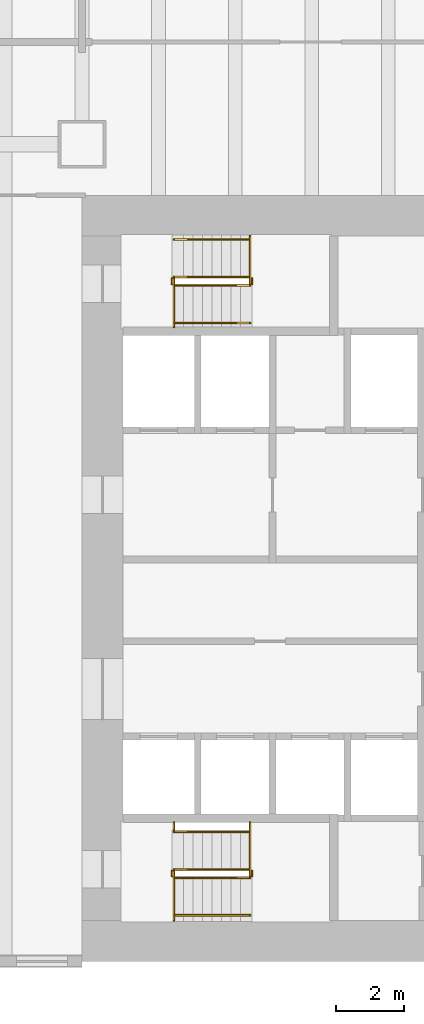
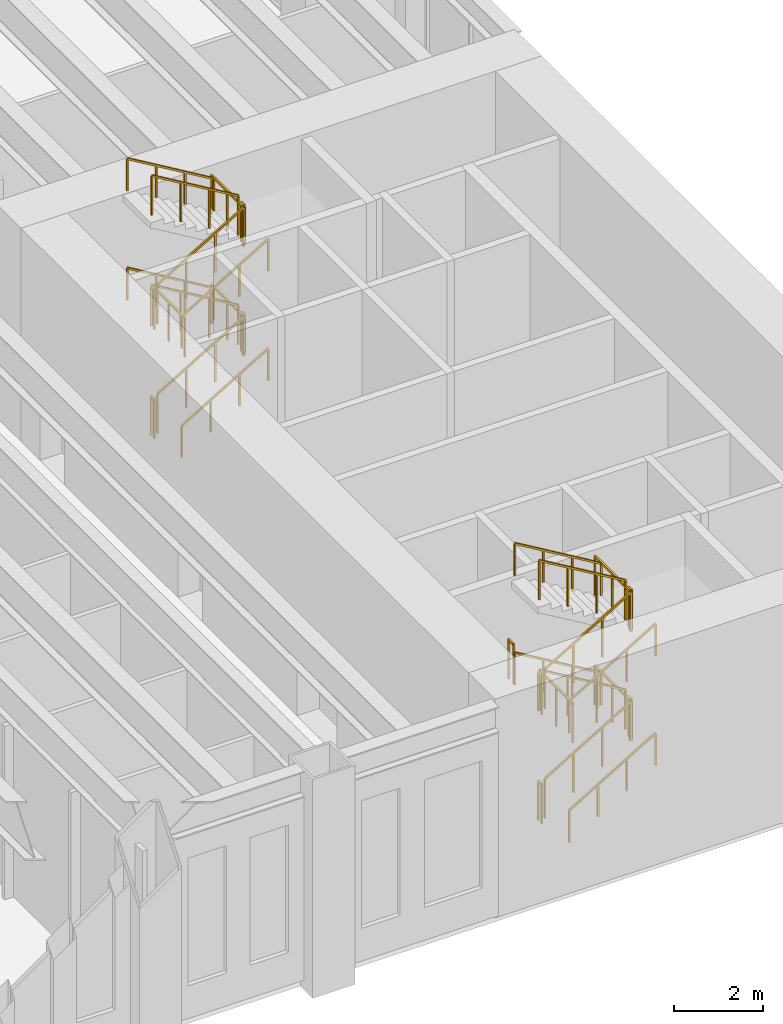
# One storey, part 17 of 19: 31 railings.
"""IFC4 building model written with IfcOpenShell, lengths in metres."""

import ifcopenshell
import ifcopenshell.guid

model = None  # the IFC model being written
_history = None  # IfcOwnerHistory: only IFC2X3 demands one
_inside = {}  # id of a spatial element -> (the spatial element, [elements in it])
_under = {}  # id of a project, library or spatial element -> (it, [spatial elements below it])
_declared = {}  # id of a project -> (the project, [libraries it declares])
_typed = {}  # id of a type object -> (the type object, [elements of that type])
_made_of = {}  # id of a material, layer set ... -> (it, [elements and type objects made of it])


def new_model(schema):
    """Start an empty IFC model of exactly this schema.

    Asked for "IFC4X3", IfcOpenShell would pick the latest addendum, in which some entities
    have other attributes; the version numbers below select the first issue.
    IFC2X3 requires an IfcOwnerHistory on every rooted entity: one is made here for all.
    """
    global model, _history
    if schema == "IFC4X3":
        model = ifcopenshell.file(schema_version=(4, 3, 0, 0))
    else:
        model = ifcopenshell.file(schema=schema)
    _inside.clear()
    _under.clear()
    _declared.clear()
    _typed.clear()
    _made_of.clear()
    _history = None
    if model.schema == "IFC2X3":
        org = make("IfcOrganization", Name="unknown")
        user = make(
            "IfcPersonAndOrganization",
            ThePerson=make("IfcPerson", FamilyName="unknown"),
            TheOrganization=org,
        )
        app = make(
            "IfcApplication",
            ApplicationDeveloper=org,
            Version="unknown",
            ApplicationFullName="unknown",
            ApplicationIdentifier="unknown",
        )
        _history = make(
            "IfcOwnerHistory",
            OwningUser=user,
            OwningApplication=app,
            ChangeAction="ADDED",
            CreationDate=0,
        )
    return model


def make(cls, **values):
    """One entity of the class cls with the attributes given. An attribute that is None is left unset."""
    return model.create_entity(
        cls, **{name: value for name, value in values.items() if value is not None}
    )


def rooted(cls, **values):
    """An entity with a GlobalId (a new one), such as an element, a storey or a relation."""
    return make(cls, GlobalId=ifcopenshell.guid.new(), OwnerHistory=_history, **values)


def si_unit(unit_type, name, prefix=None):
    """IfcSIUnit, for example si_unit("LENGTHUNIT", "METRE", prefix="MILLI")."""
    return make("IfcSIUnit", UnitType=unit_type, Prefix=prefix, Name=name)


def assignment(units):
    """IfcUnitAssignment: the units of a project."""
    return None if units is None else make("IfcUnitAssignment", Units=units)


def point(xyz):
    """IfcCartesianPoint."""
    return None if xyz is None else make("IfcCartesianPoint", Coordinates=xyz)


def direction(xyz):
    """IfcDirection."""
    return None if xyz is None else make("IfcDirection", DirectionRatios=xyz)


def frame(location, z_axis=None, x_axis=None):
    """IfcAxis2Placement3D, a coordinate frame: its origin and axes. An axis left out is left unset."""
    return make(
        "IfcAxis2Placement3D",
        Location=point(location),
        Axis=direction(z_axis),
        RefDirection=direction(x_axis),
    )


def frame_2d(location, x_axis=None):
    """IfcAxis2Placement2D, a coordinate frame in the plane: its origin and x axis."""
    return make(
        "IfcAxis2Placement2D", Location=point(location), RefDirection=direction(x_axis)
    )


def origin():
    """The frame at (0, 0, 0) with its axes left unset."""
    return frame((0.0, 0.0, 0.0))


def origin_2d():
    """The frame at (0, 0) in the plane with its x axis left unset."""
    return frame_2d((0.0, 0.0))


def place(relative_to, where):
    """IfcLocalPlacement: puts the frame where relative to a parent placement (None: the world)."""
    return make(
        "IfcLocalPlacement", PlacementRelTo=relative_to, RelativePlacement=where
    )


def context(
    kind, dimensions, precision=None, world=None, true_north=None, identifier=None
):
    """IfcGeometricRepresentationContext, for example the 3D "Model" context."""
    return make(
        "IfcGeometricRepresentationContext",
        ContextIdentifier=identifier,
        ContextType=kind,
        CoordinateSpaceDimension=dimensions,
        Precision=precision,
        WorldCoordinateSystem=world,
        TrueNorth=true_north,
    )


def subcontext(parent, identifier, kind, view, scale=None):
    """IfcGeometricRepresentationSubContext, for example "Body" below "Model"."""
    return make(
        "IfcGeometricRepresentationSubContext",
        ContextIdentifier=identifier,
        ContextType=kind,
        ParentContext=parent,
        TargetScale=scale,
        TargetView=view,
    )


def project(units=None, contexts=None):
    """IfcProject with its units and contexts."""
    return rooted(
        "IfcProject",
        Name="project",
        RepresentationContexts=contexts,
        UnitsInContext=assignment(units),
    )


def spatial(cls, under=None, at=None, **own):
    """A site, building, storey or space (cls), placed at a placement, below another one or the project."""
    s = rooted(cls, ObjectPlacement=at, **own)
    if under is not None:
        _under.setdefault(under.id(), (under, []))[1].append(s)
    return s


def profile(cls, at=None, kind="AREA", **sizes):
    """A parametric profile (cls). Its sizes go by their IFC names, for example OverallWidth=200.0."""
    return make(cls, ProfileType=kind, Position=at, **sizes)


def rectangle(**sizes):
    """IfcRectangleProfileDef."""
    return profile("IfcRectangleProfileDef", **sizes)


def extrude(swept, where, along, depth):
    """IfcExtrudedAreaSolid: the profile swept, set in the frame where, extruded along a direction by depth."""
    return make(
        "IfcExtrudedAreaSolid",
        SweptArea=swept,
        Position=where,
        ExtrudedDirection=direction(along),
        Depth=depth,
    )


def shape(context_of_items, identifier, shape_type, items):
    """IfcShapeRepresentation: the items that make up one representation, for example the "Body"."""
    return make(
        "IfcShapeRepresentation",
        ContextOfItems=context_of_items,
        RepresentationIdentifier=identifier,
        RepresentationType=shape_type,
        Items=items,
    )


def material(Name=None, Category=None):
    """IfcMaterial."""
    return make("IfcMaterial", Name=Name, Category=Category)


def made_of(thing, what):
    """Note that an element or type object is made of a material, layer set ...; save() writes the relation."""
    if what is not None:
        _made_of.setdefault(what.id(), (what, []))[1].append(thing)
    return thing


def type_object(cls, material=None, **own):
    """A type object (cls), such as IfcWallType, which elements share."""
    return made_of(rooted(cls, **own), material)


def element(
    cls,
    number,
    at=None,
    inside=None,
    cuts=None,
    type_object=None,
    material=None,
    context=None,
    identifier="Body",
    shape_type=None,
    held_by="IfcProductDefinitionShape",
    body=None,
    shapes=None,
    **own,
):
    """One element of the class cls, such as IfcWall. Its Tag is "e" and its number.

    at: its placement. inside: the storey or other place that contains it. cuts: it is an
    opening in that element (IfcRelVoidsElement). A single representation is given by context,
    identifier, shape_type and body (its items); several are given by shapes. held_by: the class
    of the entity that holds the representations. save() writes the other relations.
    """
    e = rooted(cls, Tag="e%d" % number, ObjectPlacement=at, **own)
    if body is not None:
        shapes = [shape(context, identifier, shape_type, body)]
    if shapes is not None:
        e.Representation = make(held_by, Representations=shapes)
    if inside is not None:
        _inside.setdefault(inside.id(), (inside, []))[1].append(e)
    if cuts is not None:
        rooted(
            "IfcRelVoidsElement", RelatingBuildingElement=cuts, RelatedOpeningElement=e
        )
    if type_object is not None:
        _typed.setdefault(type_object.id(), (type_object, []))[1].append(e)
    return made_of(e, material)


def aggregate(whole, parts):
    """IfcRelAggregates: a whole, such as a stair, and the parts it consists of."""
    return rooted("IfcRelAggregates", RelatingObject=whole, RelatedObjects=parts)


def save(model, path):
    """Write the relations noted so far, then the file.

    IfcRelAggregates (storeys below a building ...), IfcRelContainedInSpatialStructure (elements
    in a storey), IfcRelDefinesByType, IfcRelAssociatesMaterial and IfcRelDeclares: one each for
    every whole, place, type object, material and project.
    """
    for whole, parts in _under.values():
        aggregate(whole, parts)
    for where, things in _inside.values():
        rooted(
            "IfcRelContainedInSpatialStructure",
            RelatedElements=things,
            RelatingStructure=where,
        )
    for kind, things in _typed.values():
        rooted("IfcRelDefinesByType", RelatedObjects=things, RelatingType=kind)
    for what, things in _made_of.values():
        rooted("IfcRelAssociatesMaterial", RelatedObjects=things, RelatingMaterial=what)
    for by, libraries in _declared.values():
        rooted("IfcRelDeclares", RelatingContext=by, RelatedDefinitions=libraries)
    model.write(path)


model = new_model("IFC4")

# Units and contexts
model_context = context("Model", 3, precision=1e-05, world=origin(), true_north=direction((0.0, 1.0)))
body_context = subcontext(model_context, "Body", "Model", "MODEL_VIEW")
ifc_project = project(units=[si_unit("LENGTHUNIT", "METRE"), si_unit("AREAUNIT", "SQUARE_METRE"), si_unit("VOLUMEUNIT", "CUBIC_METRE"), si_unit("PLANEANGLEUNIT", "RADIAN"), si_unit("MASSUNIT", "GRAM", prefix="KILO")], contexts=[model_context])

# Site, building, storey
site_placement = place(None, origin())
site = spatial("IfcSite", under=ifc_project, at=site_placement, CompositionType="ELEMENT")
building_placement = place(site_placement, origin())
building = spatial("IfcBuilding", under=site, at=building_placement, Name="Sennacour Bend Tower", CompositionType="ELEMENT")
storey_placement = place(building_placement, frame((0.0, 0.0, 8.0)))
storey = spatial("IfcBuildingStorey", under=building, at=storey_placement, Name="L01", CompositionType="ELEMENT", Elevation=8.0)

# Railings
ifc_material = material(Name="Stainless steel", Category="steel")
railing_type_1 = type_object("IfcRailingType", Name="RL-GUARD-1100", PredefinedType="GUARDRAIL", material=ifc_material)
railing_1_placement = place(storey_placement, frame((56.699951171875, 2.449951171875, 0.166748046875)))
element("IfcRailing", 1, at=railing_1_placement, inside=storey, type_object=railing_type_1, Name="L01 SA1 stair guard 1", PredefinedType="GUARDRAIL", context=body_context, shape_type="SweptSolid", body=[
    extrude(rectangle(XDim=0.048095703125, YDim=0.048095703125, at=origin_2d()), frame((0.0, 0.0, 1.076171875), z_axis=(0.859305625298, 0.0, 0.511462454469), x_axis=(0.0, 1.0, 0.0)), (0.0, 0.0, 1.0), 2.606689453125),
    extrude(rectangle(XDim=0.0419921875, YDim=0.0419921875, at=origin_2d()), origin(), (0.0, 0.0, 1.0), 1.052001953125),
    extrude(rectangle(XDim=0.0419921875, YDim=0.0419921875, at=origin_2d()), frame((0.74658203125, 0.0, 0.4443359375)), (0.0, 0.0, 1.0), 1.052001953125),
    extrude(rectangle(XDim=0.0419921875, YDim=0.0419921875, at=origin_2d()), frame((1.493408203125, 0.0, 0.888916015625)), (0.0, 0.0, 1.0), 1.052001953125),
    extrude(rectangle(XDim=0.0419921875, YDim=0.0419921875, at=origin_2d()), frame((2.239990234375, 0.0, 1.333251953125)), (0.0, 0.0, 1.0), 1.052001953125),
])
railing_2_placement = place(storey_placement, frame((58.989990234375, 2.5, 1.5)))
element("IfcRailing", 2, at=railing_2_placement, inside=storey, type_object=railing_type_1, Name="L01 SA1 stair guard 2", PredefinedType="GUARDRAIL", context=body_context, shape_type="SweptSolid", body=[
    extrude(rectangle(XDim=0.048095703125, YDim=0.048095703125, at=origin_2d()), frame((0.0, 0.0, 1.076171875), z_axis=(0.0, 1.0, 0.0), x_axis=(-1.0, 0.0, 0.0)), (0.0, 0.0, 1.0), 0.14990234375),
    extrude(rectangle(XDim=0.0419921875, YDim=0.0419921875, at=origin_2d()), origin(), (0.0, 0.0, 1.0), 1.052001953125),
    extrude(rectangle(XDim=0.0419921875, YDim=0.0419921875, at=origin_2d()), frame((0.0, 0.14990234375, 0.0)), (0.0, 0.0, 1.0), 1.052001953125),
])
railing_3_placement = place(storey_placement, frame((58.93994140625, 2.699951171875, 1.666748046875)))
element("IfcRailing", 3, at=railing_3_placement, inside=storey, type_object=railing_type_1, Name="L01 SA1 stair guard 4", PredefinedType="GUARDRAIL", context=body_context, shape_type="SweptSolid", body=[
    extrude(rectangle(XDim=0.048095703125, YDim=0.048095703125, at=origin_2d()), frame((0.0, 0.0, 1.076171875), z_axis=(-0.859305625298, 0.0, 0.511462454469), x_axis=(0.0, -1.0, 0.0)), (0.0, 0.0, 1.0), 2.606689453125),
    extrude(rectangle(XDim=0.0419921875, YDim=0.0419921875, at=origin_2d()), origin(), (0.0, 0.0, 1.0), 1.052001953125),
    extrude(rectangle(XDim=0.0419921875, YDim=0.0419921875, at=origin_2d()), frame((-0.74658203125, 0.0, 0.4443359375)), (0.0, 0.0, 1.0), 1.052001953125),
    extrude(rectangle(XDim=0.0419921875, YDim=0.0419921875, at=origin_2d()), frame((-1.493408203125, 0.0, 0.888916015625)), (0.0, 0.0, 1.0), 1.052001953125),
    extrude(rectangle(XDim=0.0419921875, YDim=0.0419921875, at=origin_2d()), frame((-2.239990234375, 0.0, 1.333251953125)), (0.0, 0.0, 1.0), 1.052001953125),
])
railing_4_placement = place(storey_placement, frame((56.64990234375, 2.5, 3.0)))
element("IfcRailing", 4, at=railing_4_placement, inside=storey, type_object=railing_type_1, Name="L01 SA1 stair guard 5", PredefinedType="GUARDRAIL", context=body_context, shape_type="SweptSolid", body=[
    extrude(rectangle(XDim=0.048095703125, YDim=0.048095703125, at=origin_2d()), frame((0.0, 0.0, 1.076171875), z_axis=(0.0, 1.0, 0.0), x_axis=(-1.0, 0.0, 0.0)), (0.0, 0.0, 1.0), 0.14990234375),
    extrude(rectangle(XDim=0.0419921875, YDim=0.0419921875, at=origin_2d()), origin(), (0.0, 0.0, 1.0), 1.052001953125),
    extrude(rectangle(XDim=0.0419921875, YDim=0.0419921875, at=origin_2d()), frame((0.0, 0.14990234375, 0.0)), (0.0, 0.0, 1.0), 1.052001953125),
])
railing_5_placement = place(storey_placement, frame((56.699951171875, 2.449951171875, 3.166748046875)))
element("IfcRailing", 5, at=railing_5_placement, inside=storey, type_object=railing_type_1, Name="L01 SA1 stair guard 8", PredefinedType="GUARDRAIL", context=body_context, shape_type="SweptSolid", body=[
    extrude(rectangle(XDim=0.048095703125, YDim=0.048095703125, at=origin_2d()), frame((0.0, 0.0, 1.076171875), z_axis=(0.859305625298, 0.0, 0.511462454469), x_axis=(0.0, 1.0, 0.0)), (0.0, 0.0, 1.0), 2.606689453125),
    extrude(rectangle(XDim=0.0419921875, YDim=0.0419921875, at=origin_2d()), origin(), (0.0, 0.0, 1.0), 1.052001953125),
    extrude(rectangle(XDim=0.0419921875, YDim=0.0419921875, at=origin_2d()), frame((0.74658203125, 0.0, 0.4443359375)), (0.0, 0.0, 1.0), 1.052001953125),
    extrude(rectangle(XDim=0.0419921875, YDim=0.0419921875, at=origin_2d()), frame((1.493408203125, 0.0, 0.888916015625)), (0.0, 0.0, 1.0), 1.052001953125),
    extrude(rectangle(XDim=0.0419921875, YDim=0.0419921875, at=origin_2d()), frame((2.239990234375, 0.0, 1.333251953125)), (0.0, 0.0, 1.0), 1.052001953125),
])
railing_6_placement = place(storey_placement, frame((58.989990234375, 2.5, 4.5)))
element("IfcRailing", 6, at=railing_6_placement, inside=storey, type_object=railing_type_1, Name="L01 SA1 stair guard 9", PredefinedType="GUARDRAIL", context=body_context, shape_type="SweptSolid", body=[
    extrude(rectangle(XDim=0.048095703125, YDim=0.048095703125, at=origin_2d()), frame((0.0, 0.0, 1.076171875), z_axis=(0.0, 1.0, 0.0), x_axis=(-1.0, 0.0, 0.0)), (0.0, 0.0, 1.0), 0.14990234375),
    extrude(rectangle(XDim=0.0419921875, YDim=0.0419921875, at=origin_2d()), origin(), (0.0, 0.0, 1.0), 1.052001953125),
    extrude(rectangle(XDim=0.0419921875, YDim=0.0419921875, at=origin_2d()), frame((0.0, 0.14990234375, 0.0)), (0.0, 0.0, 1.0), 1.052001953125),
])
railing_7_placement = place(storey_placement, frame((58.93994140625, 2.699951171875, 4.666748046875)))
element("IfcRailing", 7, at=railing_7_placement, inside=storey, type_object=railing_type_1, Name="L01 SA1 stair guard 11", PredefinedType="GUARDRAIL", context=body_context, shape_type="SweptSolid", body=[
    extrude(rectangle(XDim=0.048095703125, YDim=0.048095703125, at=origin_2d()), frame((0.0, 0.0, 1.076171875), z_axis=(-0.859305625298, 0.0, 0.511462454469), x_axis=(0.0, -1.0, 0.0)), (0.0, 0.0, 1.0), 2.606689453125),
    extrude(rectangle(XDim=0.0419921875, YDim=0.0419921875, at=origin_2d()), origin(), (0.0, 0.0, 1.0), 1.052001953125),
    extrude(rectangle(XDim=0.0419921875, YDim=0.0419921875, at=origin_2d()), frame((-0.74658203125, 0.0, 0.4443359375)), (0.0, 0.0, 1.0), 1.052001953125),
    extrude(rectangle(XDim=0.0419921875, YDim=0.0419921875, at=origin_2d()), frame((-1.493408203125, 0.0, 0.888916015625)), (0.0, 0.0, 1.0), 1.052001953125),
    extrude(rectangle(XDim=0.0419921875, YDim=0.0419921875, at=origin_2d()), frame((-2.239990234375, 0.0, 1.333251953125)), (0.0, 0.0, 1.0), 1.052001953125),
])
railing_8_placement = place(storey_placement, frame((56.64990234375, 2.5, 0.0)))
element("IfcRailing", 8, at=railing_8_placement, inside=storey, type_object=railing_type_1, Name="L01 SA1 stair guard 12", PredefinedType="GUARDRAIL", context=body_context, shape_type="SweptSolid", body=[
    extrude(rectangle(XDim=0.048095703125, YDim=0.048095703125, at=origin_2d()), frame((0.0, 0.0, 1.076171875), z_axis=(0.0, 1.0, 0.0), x_axis=(-1.0, 0.0, 0.0)), (0.0, 0.0, 1.0), 0.14990234375),
    extrude(rectangle(XDim=0.0419921875, YDim=0.0419921875, at=origin_2d()), origin(), (0.0, 0.0, 1.0), 1.052001953125),
    extrude(rectangle(XDim=0.0419921875, YDim=0.0419921875, at=origin_2d()), frame((0.0, 0.14990234375, 0.0)), (0.0, 0.0, 1.0), 1.052001953125),
])
railing_9_placement = place(storey_placement, frame((58.93994140625, 2.5, 1.5)))
element("IfcRailing", 9, at=railing_9_placement, inside=storey, type_object=railing_type_1, Name="L01 SA1 landing edge guard 4", PredefinedType="GUARDRAIL", context=body_context, shape_type="SweptSolid", body=[
    extrude(rectangle(XDim=0.048095703125, YDim=0.048095703125, at=origin_2d()), frame((0.0, 0.0, 1.076171875), z_axis=(0.0, 1.0, 0.0), x_axis=(-1.0, 0.0, 0.0)), (0.0, 0.0, 1.0), 1.574951171875),
    extrude(rectangle(XDim=0.0419921875, YDim=0.0419921875, at=origin_2d()), origin(), (0.0, 0.0, 1.0), 1.052001953125),
    extrude(rectangle(XDim=0.0419921875, YDim=0.0419921875, at=origin_2d()), frame((0.0, 0.78759765625, 0.0)), (0.0, 0.0, 1.0), 1.052001953125),
    extrude(rectangle(XDim=0.0419921875, YDim=0.0419921875, at=origin_2d()), frame((0.0, 1.574951171875, 0.0)), (0.0, 0.0, 1.0), 1.052001953125),
])
railing_10_placement = place(storey_placement, frame((56.699951171875, 4.074951171875, 3.0)))
element("IfcRailing", 10, at=railing_10_placement, inside=storey, type_object=railing_type_1, Name="L01 SA1 landing edge guard 5", PredefinedType="GUARDRAIL", context=body_context, shape_type="SweptSolid", body=[
    extrude(rectangle(XDim=0.048095703125, YDim=0.048095703125, at=origin_2d()), frame((0.0, 0.0, 1.076171875), z_axis=(0.0, -1.0, 0.0), x_axis=(1.0, 0.0, 0.0)), (0.0, 0.0, 1.0), 0.224853515625),
    extrude(rectangle(XDim=0.0419921875, YDim=0.0419921875, at=origin_2d()), origin(), (0.0, 0.0, 1.0), 1.052001953125),
    extrude(rectangle(XDim=0.0419921875, YDim=0.0419921875, at=origin_2d()), frame((0.0, -0.224853515625, 0.0)), (0.0, 0.0, 1.0), 1.052001953125),
])
railing_11_placement = place(storey_placement, frame((56.699951171875, 2.64990234375, 3.0)))
element("IfcRailing", 11, at=railing_11_placement, inside=storey, type_object=railing_type_1, Name="L01 SA1 landing edge guard 6", PredefinedType="GUARDRAIL", context=body_context, shape_type="SweptSolid", body=[
    extrude(rectangle(XDim=0.048095703125, YDim=0.048095703125, at=origin_2d()), frame((0.0, 0.0, 1.076171875), z_axis=(0.0, -1.0, 0.0), x_axis=(1.0, 0.0, 0.0)), (0.0, 0.0, 1.0), 1.449951171875),
    extrude(rectangle(XDim=0.0419921875, YDim=0.0419921875, at=origin_2d()), origin(), (0.0, 0.0, 1.0), 1.052001953125),
    extrude(rectangle(XDim=0.0419921875, YDim=0.0419921875, at=origin_2d()), frame((0.0, -0.72509765625, 0.0)), (0.0, 0.0, 1.0), 1.052001953125),
    extrude(rectangle(XDim=0.0419921875, YDim=0.0419921875, at=origin_2d()), frame((0.0, -1.449951171875, 0.0)), (0.0, 0.0, 1.0), 1.052001953125),
])
railing_12_placement = place(storey_placement, frame((58.93994140625, 2.5, 4.5)))
element("IfcRailing", 12, at=railing_12_placement, inside=storey, type_object=railing_type_1, Name="L01 SA1 landing edge guard 7", PredefinedType="GUARDRAIL", context=body_context, shape_type="SweptSolid", body=[
    extrude(rectangle(XDim=0.048095703125, YDim=0.048095703125, at=origin_2d()), frame((0.0, 0.0, 1.076171875), z_axis=(0.0, 1.0, 0.0), x_axis=(-1.0, 0.0, 0.0)), (0.0, 0.0, 1.0), 1.574951171875),
    extrude(rectangle(XDim=0.0419921875, YDim=0.0419921875, at=origin_2d()), origin(), (0.0, 0.0, 1.0), 1.052001953125),
    extrude(rectangle(XDim=0.0419921875, YDim=0.0419921875, at=origin_2d()), frame((0.0, 0.78759765625, 0.0)), (0.0, 0.0, 1.0), 1.052001953125),
    extrude(rectangle(XDim=0.0419921875, YDim=0.0419921875, at=origin_2d()), frame((0.0, 1.574951171875, 0.0)), (0.0, 0.0, 1.0), 1.052001953125),
])
railing_13_placement = place(storey_placement, frame((56.699951171875, 19.85009765625, 0.166748046875)))
element("IfcRailing", 13, at=railing_13_placement, inside=storey, type_object=railing_type_1, Name="L01 SA2 stair guard 1", PredefinedType="GUARDRAIL", context=body_context, shape_type="SweptSolid", body=[
    extrude(rectangle(XDim=0.048095703125, YDim=0.048095703125, at=origin_2d()), frame((0.0, 0.0, 1.076171875), z_axis=(0.859305625298, 0.0, 0.511462454469), x_axis=(0.0, 1.0, 0.0)), (0.0, 0.0, 1.0), 2.606689453125),
    extrude(rectangle(XDim=0.0419921875, YDim=0.0419921875, at=origin_2d()), origin(), (0.0, 0.0, 1.0), 1.052001953125),
    extrude(rectangle(XDim=0.0419921875, YDim=0.0419921875, at=origin_2d()), frame((0.74658203125, 0.0, 0.4443359375)), (0.0, 0.0, 1.0), 1.052001953125),
    extrude(rectangle(XDim=0.0419921875, YDim=0.0419921875, at=origin_2d()), frame((1.493408203125, 0.0, 0.888916015625)), (0.0, 0.0, 1.0), 1.052001953125),
    extrude(rectangle(XDim=0.0419921875, YDim=0.0419921875, at=origin_2d()), frame((2.239990234375, 0.0, 1.333251953125)), (0.0, 0.0, 1.0), 1.052001953125),
])
railing_14_placement = place(storey_placement, frame((58.989990234375, 19.89990234375, 1.5)))
element("IfcRailing", 14, at=railing_14_placement, inside=storey, type_object=railing_type_1, Name="L01 SA2 stair guard 2", PredefinedType="GUARDRAIL", context=body_context, shape_type="SweptSolid", body=[
    extrude(rectangle(XDim=0.048095703125, YDim=0.048095703125, at=origin_2d()), frame((0.0, 0.0, 1.076171875), z_axis=(0.0, 1.0, 0.0), x_axis=(-1.0, 0.0, 0.0)), (0.0, 0.0, 1.0), 0.150146484375),
    extrude(rectangle(XDim=0.0419921875, YDim=0.0419921875, at=origin_2d()), origin(), (0.0, 0.0, 1.0), 1.052001953125),
    extrude(rectangle(XDim=0.0419921875, YDim=0.0419921875, at=origin_2d()), frame((0.0, 0.150146484375, 0.0)), (0.0, 0.0, 1.0), 1.052001953125),
])
railing_15_placement = place(storey_placement, frame((58.93994140625, 20.10009765625, 1.666748046875)))
element("IfcRailing", 15, at=railing_15_placement, inside=storey, type_object=railing_type_1, Name="L01 SA2 stair guard 4", PredefinedType="GUARDRAIL", context=body_context, shape_type="SweptSolid", body=[
    extrude(rectangle(XDim=0.048095703125, YDim=0.048095703125, at=origin_2d()), frame((0.0, 0.0, 1.076171875), z_axis=(-0.859305625298, 0.0, 0.511462454469), x_axis=(0.0, -1.0, 0.0)), (0.0, 0.0, 1.0), 2.606689453125),
    extrude(rectangle(XDim=0.0419921875, YDim=0.0419921875, at=origin_2d()), origin(), (0.0, 0.0, 1.0), 1.052001953125),
    extrude(rectangle(XDim=0.0419921875, YDim=0.0419921875, at=origin_2d()), frame((-0.74658203125, 0.0, 0.4443359375)), (0.0, 0.0, 1.0), 1.052001953125),
    extrude(rectangle(XDim=0.0419921875, YDim=0.0419921875, at=origin_2d()), frame((-1.493408203125, 0.0, 0.888916015625)), (0.0, 0.0, 1.0), 1.052001953125),
    extrude(rectangle(XDim=0.0419921875, YDim=0.0419921875, at=origin_2d()), frame((-2.239990234375, 0.0, 1.333251953125)), (0.0, 0.0, 1.0), 1.052001953125),
])
railing_16_placement = place(storey_placement, frame((56.64990234375, 19.89990234375, 3.0)))
element("IfcRailing", 16, at=railing_16_placement, inside=storey, type_object=railing_type_1, Name="L01 SA2 stair guard 5", PredefinedType="GUARDRAIL", context=body_context, shape_type="SweptSolid", body=[
    extrude(rectangle(XDim=0.048095703125, YDim=0.048095703125, at=origin_2d()), frame((0.0, 0.0, 1.076171875), z_axis=(0.0, 1.0, 0.0), x_axis=(-1.0, 0.0, 0.0)), (0.0, 0.0, 1.0), 0.150146484375),
    extrude(rectangle(XDim=0.0419921875, YDim=0.0419921875, at=origin_2d()), origin(), (0.0, 0.0, 1.0), 1.052001953125),
    extrude(rectangle(XDim=0.0419921875, YDim=0.0419921875, at=origin_2d()), frame((0.0, 0.150146484375, 0.0)), (0.0, 0.0, 1.0), 1.052001953125),
])
railing_17_placement = place(storey_placement, frame((56.699951171875, 19.85009765625, 3.166748046875)))
element("IfcRailing", 17, at=railing_17_placement, inside=storey, type_object=railing_type_1, Name="L01 SA2 stair guard 8", PredefinedType="GUARDRAIL", context=body_context, shape_type="SweptSolid", body=[
    extrude(rectangle(XDim=0.048095703125, YDim=0.048095703125, at=origin_2d()), frame((0.0, 0.0, 1.076171875), z_axis=(0.859305625298, 0.0, 0.511462454469), x_axis=(0.0, 1.0, 0.0)), (0.0, 0.0, 1.0), 2.606689453125),
    extrude(rectangle(XDim=0.0419921875, YDim=0.0419921875, at=origin_2d()), origin(), (0.0, 0.0, 1.0), 1.052001953125),
    extrude(rectangle(XDim=0.0419921875, YDim=0.0419921875, at=origin_2d()), frame((0.74658203125, 0.0, 0.4443359375)), (0.0, 0.0, 1.0), 1.052001953125),
    extrude(rectangle(XDim=0.0419921875, YDim=0.0419921875, at=origin_2d()), frame((1.493408203125, 0.0, 0.888916015625)), (0.0, 0.0, 1.0), 1.052001953125),
    extrude(rectangle(XDim=0.0419921875, YDim=0.0419921875, at=origin_2d()), frame((2.239990234375, 0.0, 1.333251953125)), (0.0, 0.0, 1.0), 1.052001953125),
])
railing_18_placement = place(storey_placement, frame((58.989990234375, 19.89990234375, 4.5)))
element("IfcRailing", 18, at=railing_18_placement, inside=storey, type_object=railing_type_1, Name="L01 SA2 stair guard 9", PredefinedType="GUARDRAIL", context=body_context, shape_type="SweptSolid", body=[
    extrude(rectangle(XDim=0.048095703125, YDim=0.048095703125, at=origin_2d()), frame((0.0, 0.0, 1.076171875), z_axis=(0.0, 1.0, 0.0), x_axis=(-1.0, 0.0, 0.0)), (0.0, 0.0, 1.0), 0.150146484375),
    extrude(rectangle(XDim=0.0419921875, YDim=0.0419921875, at=origin_2d()), origin(), (0.0, 0.0, 1.0), 1.052001953125),
    extrude(rectangle(XDim=0.0419921875, YDim=0.0419921875, at=origin_2d()), frame((0.0, 0.150146484375, 0.0)), (0.0, 0.0, 1.0), 1.052001953125),
])
railing_19_placement = place(storey_placement, frame((58.93994140625, 20.10009765625, 4.666748046875)))
element("IfcRailing", 19, at=railing_19_placement, inside=storey, type_object=railing_type_1, Name="L01 SA2 stair guard 11", PredefinedType="GUARDRAIL", context=body_context, shape_type="SweptSolid", body=[
    extrude(rectangle(XDim=0.048095703125, YDim=0.048095703125, at=origin_2d()), frame((0.0, 0.0, 1.076171875), z_axis=(-0.859305625298, 0.0, 0.511462454469), x_axis=(0.0, -1.0, 0.0)), (0.0, 0.0, 1.0), 2.606689453125),
    extrude(rectangle(XDim=0.0419921875, YDim=0.0419921875, at=origin_2d()), origin(), (0.0, 0.0, 1.0), 1.052001953125),
    extrude(rectangle(XDim=0.0419921875, YDim=0.0419921875, at=origin_2d()), frame((-0.74658203125, 0.0, 0.4443359375)), (0.0, 0.0, 1.0), 1.052001953125),
    extrude(rectangle(XDim=0.0419921875, YDim=0.0419921875, at=origin_2d()), frame((-1.493408203125, 0.0, 0.888916015625)), (0.0, 0.0, 1.0), 1.052001953125),
    extrude(rectangle(XDim=0.0419921875, YDim=0.0419921875, at=origin_2d()), frame((-2.239990234375, 0.0, 1.333251953125)), (0.0, 0.0, 1.0), 1.052001953125),
])
railing_20_placement = place(storey_placement, frame((56.64990234375, 19.89990234375, 0.0)))
element("IfcRailing", 20, at=railing_20_placement, inside=storey, type_object=railing_type_1, Name="L01 SA2 stair guard 12", PredefinedType="GUARDRAIL", context=body_context, shape_type="SweptSolid", body=[
    extrude(rectangle(XDim=0.048095703125, YDim=0.048095703125, at=origin_2d()), frame((0.0, 0.0, 1.076171875), z_axis=(0.0, 1.0, 0.0), x_axis=(-1.0, 0.0, 0.0)), (0.0, 0.0, 1.0), 0.150146484375),
    extrude(rectangle(XDim=0.0419921875, YDim=0.0419921875, at=origin_2d()), origin(), (0.0, 0.0, 1.0), 1.052001953125),
    extrude(rectangle(XDim=0.0419921875, YDim=0.0419921875, at=origin_2d()), frame((0.0, 0.150146484375, 0.0)), (0.0, 0.0, 1.0), 1.052001953125),
])
railing_21_placement = place(storey_placement, frame((58.93994140625, 19.89990234375, 1.5)))
element("IfcRailing", 21, at=railing_21_placement, inside=storey, type_object=railing_type_1, Name="L01 SA2 landing edge guard 4", PredefinedType="GUARDRAIL", context=body_context, shape_type="SweptSolid", body=[
    extrude(rectangle(XDim=0.048095703125, YDim=0.048095703125, at=origin_2d()), frame((0.0, 0.0, 1.076171875), z_axis=(0.0, 1.0, 0.0), x_axis=(-1.0, 0.0, 0.0)), (0.0, 0.0, 1.0), 1.400146484375),
    extrude(rectangle(XDim=0.0419921875, YDim=0.0419921875, at=origin_2d()), origin(), (0.0, 0.0, 1.0), 1.052001953125),
    extrude(rectangle(XDim=0.0419921875, YDim=0.0419921875, at=origin_2d()), frame((0.0, 0.7001953125, 0.0)), (0.0, 0.0, 1.0), 1.052001953125),
    extrude(rectangle(XDim=0.0419921875, YDim=0.0419921875, at=origin_2d()), frame((0.0, 1.400146484375, 0.0)), (0.0, 0.0, 1.0), 1.052001953125),
])
railing_22_placement = place(storey_placement, frame((56.699951171875, 20.050048828125, 3.0)))
element("IfcRailing", 22, at=railing_22_placement, inside=storey, type_object=railing_type_1, Name="L01 SA2 landing edge guard 5", PredefinedType="GUARDRAIL", context=body_context, shape_type="SweptSolid", body=[
    extrude(rectangle(XDim=0.048095703125, YDim=0.048095703125, at=origin_2d()), frame((0.0, 0.0, 1.076171875), z_axis=(0.0, -1.0, 0.0), x_axis=(1.0, 0.0, 0.0)), (0.0, 0.0, 1.0), 1.425048828125),
    extrude(rectangle(XDim=0.0419921875, YDim=0.0419921875, at=origin_2d()), origin(), (0.0, 0.0, 1.0), 1.052001953125),
    extrude(rectangle(XDim=0.0419921875, YDim=0.0419921875, at=origin_2d()), frame((0.0, -0.71240234375, 0.0)), (0.0, 0.0, 1.0), 1.052001953125),
    extrude(rectangle(XDim=0.0419921875, YDim=0.0419921875, at=origin_2d()), frame((0.0, -1.425048828125, 0.0)), (0.0, 0.0, 1.0), 1.052001953125),
])
railing_23_placement = place(storey_placement, frame((58.93994140625, 19.89990234375, 4.5)))
element("IfcRailing", 23, at=railing_23_placement, inside=storey, type_object=railing_type_1, Name="L01 SA2 landing edge guard 6", PredefinedType="GUARDRAIL", context=body_context, shape_type="SweptSolid", body=[
    extrude(rectangle(XDim=0.048095703125, YDim=0.048095703125, at=origin_2d()), frame((0.0, 0.0, 1.076171875), z_axis=(0.0, 1.0, 0.0), x_axis=(-1.0, 0.0, 0.0)), (0.0, 0.0, 1.0), 1.400146484375),
    extrude(rectangle(XDim=0.0419921875, YDim=0.0419921875, at=origin_2d()), origin(), (0.0, 0.0, 1.0), 1.052001953125),
    extrude(rectangle(XDim=0.0419921875, YDim=0.0419921875, at=origin_2d()), frame((0.0, 0.7001953125, 0.0)), (0.0, 0.0, 1.0), 1.052001953125),
    extrude(rectangle(XDim=0.0419921875, YDim=0.0419921875, at=origin_2d()), frame((0.0, 1.400146484375, 0.0)), (0.0, 0.0, 1.0), 1.052001953125),
])
railing_type_2 = type_object("IfcRailingType", Name="RL-HANDRAIL-900", PredefinedType="HANDRAIL", material=ifc_material)
railing_24_placement = place(storey_placement, frame((56.699951171875, 1.35009765625, 0.166748046875)))
element("IfcRailing", 24, at=railing_24_placement, inside=storey, type_object=railing_type_2, Name="L01 SA1 stair handrail 1", PredefinedType="HANDRAIL", context=body_context, shape_type="SweptSolid", body=[
    extrude(rectangle(XDim=0.048095703125, YDim=0.048095703125, at=origin_2d()), frame((0.0, 0.0, 0.8759765625), z_axis=(0.859305625298, 0.0, 0.511462454469), x_axis=(0.0, 1.0, 0.0)), (0.0, 0.0, 1.0), 2.606689453125),
    extrude(rectangle(XDim=0.0419921875, YDim=0.0419921875, at=origin_2d()), origin(), (0.0, 0.0, 1.0), 0.851806640625),
    extrude(rectangle(XDim=0.0419921875, YDim=0.0419921875, at=origin_2d()), frame((0.74658203125, 0.0, 0.4443359375)), (0.0, 0.0, 1.0), 0.851806640625),
    extrude(rectangle(XDim=0.0419921875, YDim=0.0419921875, at=origin_2d()), frame((1.493408203125, 0.0, 0.888916015625)), (0.0, 0.0, 1.0), 0.851806640625),
    extrude(rectangle(XDim=0.0419921875, YDim=0.0419921875, at=origin_2d()), frame((2.239990234375, 0.0, 1.333251953125)), (0.0, 0.0, 1.0), 0.851806640625),
])
railing_25_placement = place(storey_placement, frame((58.93994140625, 3.800048828125, 1.666748046875)))
element("IfcRailing", 25, at=railing_25_placement, inside=storey, type_object=railing_type_2, Name="L01 SA1 stair handrail 2", PredefinedType="HANDRAIL", context=body_context, shape_type="SweptSolid", body=[
    extrude(rectangle(XDim=0.048095703125, YDim=0.048095703125, at=origin_2d()), frame((0.0, 0.0, 0.8759765625), z_axis=(-0.859305625298, 0.0, 0.511462454469), x_axis=(0.0, -1.0, 0.0)), (0.0, 0.0, 1.0), 2.606689453125),
    extrude(rectangle(XDim=0.0419921875, YDim=0.0419921875, at=origin_2d()), origin(), (0.0, 0.0, 1.0), 0.851806640625),
    extrude(rectangle(XDim=0.0419921875, YDim=0.0419921875, at=origin_2d()), frame((-0.74658203125, 0.0, 0.4443359375)), (0.0, 0.0, 1.0), 0.851806640625),
    extrude(rectangle(XDim=0.0419921875, YDim=0.0419921875, at=origin_2d()), frame((-1.493408203125, 0.0, 0.888916015625)), (0.0, 0.0, 1.0), 0.851806640625),
    extrude(rectangle(XDim=0.0419921875, YDim=0.0419921875, at=origin_2d()), frame((-2.239990234375, 0.0, 1.333251953125)), (0.0, 0.0, 1.0), 0.851806640625),
])
railing_26_placement = place(storey_placement, frame((56.699951171875, 1.35009765625, 3.166748046875)))
element("IfcRailing", 26, at=railing_26_placement, inside=storey, type_object=railing_type_2, Name="L01 SA1 stair handrail 3", PredefinedType="HANDRAIL", context=body_context, shape_type="SweptSolid", body=[
    extrude(rectangle(XDim=0.048095703125, YDim=0.048095703125, at=origin_2d()), frame((0.0, 0.0, 0.8759765625), z_axis=(0.859305625298, 0.0, 0.511462454469), x_axis=(0.0, 1.0, 0.0)), (0.0, 0.0, 1.0), 2.606689453125),
    extrude(rectangle(XDim=0.0419921875, YDim=0.0419921875, at=origin_2d()), origin(), (0.0, 0.0, 1.0), 0.851806640625),
    extrude(rectangle(XDim=0.0419921875, YDim=0.0419921875, at=origin_2d()), frame((0.74658203125, 0.0, 0.4443359375)), (0.0, 0.0, 1.0), 0.851806640625),
    extrude(rectangle(XDim=0.0419921875, YDim=0.0419921875, at=origin_2d()), frame((1.493408203125, 0.0, 0.888916015625)), (0.0, 0.0, 1.0), 0.851806640625),
    extrude(rectangle(XDim=0.0419921875, YDim=0.0419921875, at=origin_2d()), frame((2.239990234375, 0.0, 1.333251953125)), (0.0, 0.0, 1.0), 0.851806640625),
])
railing_27_placement = place(storey_placement, frame((58.93994140625, 3.800048828125, 4.666748046875)))
element("IfcRailing", 27, at=railing_27_placement, inside=storey, type_object=railing_type_2, Name="L01 SA1 stair handrail 4", PredefinedType="HANDRAIL", context=body_context, shape_type="SweptSolid", body=[
    extrude(rectangle(XDim=0.048095703125, YDim=0.048095703125, at=origin_2d()), frame((0.0, 0.0, 0.8759765625), z_axis=(-0.859305625298, 0.0, 0.511462454469), x_axis=(0.0, -1.0, 0.0)), (0.0, 0.0, 1.0), 2.606689453125),
    extrude(rectangle(XDim=0.0419921875, YDim=0.0419921875, at=origin_2d()), origin(), (0.0, 0.0, 1.0), 0.851806640625),
    extrude(rectangle(XDim=0.0419921875, YDim=0.0419921875, at=origin_2d()), frame((-0.74658203125, 0.0, 0.4443359375)), (0.0, 0.0, 1.0), 0.851806640625),
    extrude(rectangle(XDim=0.0419921875, YDim=0.0419921875, at=origin_2d()), frame((-1.493408203125, 0.0, 0.888916015625)), (0.0, 0.0, 1.0), 0.851806640625),
    extrude(rectangle(XDim=0.0419921875, YDim=0.0419921875, at=origin_2d()), frame((-2.239990234375, 0.0, 1.333251953125)), (0.0, 0.0, 1.0), 0.851806640625),
])
railing_28_placement = place(storey_placement, frame((56.699951171875, 18.75, 0.166748046875)))
element("IfcRailing", 28, at=railing_28_placement, inside=storey, type_object=railing_type_2, Name="L01 SA2 stair handrail 1", PredefinedType="HANDRAIL", context=body_context, shape_type="SweptSolid", body=[
    extrude(rectangle(XDim=0.048095703125, YDim=0.048095703125, at=origin_2d()), frame((0.0, 0.0, 0.8759765625), z_axis=(0.859305625298, 0.0, 0.511462454469), x_axis=(0.0, 1.0, 0.0)), (0.0, 0.0, 1.0), 2.606689453125),
    extrude(rectangle(XDim=0.0419921875, YDim=0.0419921875, at=origin_2d()), origin(), (0.0, 0.0, 1.0), 0.851806640625),
    extrude(rectangle(XDim=0.0419921875, YDim=0.0419921875, at=origin_2d()), frame((0.74658203125, 0.0, 0.4443359375)), (0.0, 0.0, 1.0), 0.851806640625),
    extrude(rectangle(XDim=0.0419921875, YDim=0.0419921875, at=origin_2d()), frame((1.493408203125, 0.0, 0.888916015625)), (0.0, 0.0, 1.0), 0.851806640625),
    extrude(rectangle(XDim=0.0419921875, YDim=0.0419921875, at=origin_2d()), frame((2.239990234375, 0.0, 1.333251953125)), (0.0, 0.0, 1.0), 0.851806640625),
])
railing_29_placement = place(storey_placement, frame((58.93994140625, 21.199951171875, 1.666748046875)))
element("IfcRailing", 29, at=railing_29_placement, inside=storey, type_object=railing_type_2, Name="L01 SA2 stair handrail 2", PredefinedType="HANDRAIL", context=body_context, shape_type="SweptSolid", body=[
    extrude(rectangle(XDim=0.048095703125, YDim=0.048095703125, at=origin_2d()), frame((0.0, 0.0, 0.8759765625), z_axis=(-0.859305625298, 0.0, 0.511462454469), x_axis=(0.0, -1.0, 0.0)), (0.0, 0.0, 1.0), 2.606689453125),
    extrude(rectangle(XDim=0.0419921875, YDim=0.0419921875, at=origin_2d()), origin(), (0.0, 0.0, 1.0), 0.851806640625),
    extrude(rectangle(XDim=0.0419921875, YDim=0.0419921875, at=origin_2d()), frame((-0.74658203125, 0.0, 0.4443359375)), (0.0, 0.0, 1.0), 0.851806640625),
    extrude(rectangle(XDim=0.0419921875, YDim=0.0419921875, at=origin_2d()), frame((-1.493408203125, 0.0, 0.888916015625)), (0.0, 0.0, 1.0), 0.851806640625),
    extrude(rectangle(XDim=0.0419921875, YDim=0.0419921875, at=origin_2d()), frame((-2.239990234375, 0.0, 1.333251953125)), (0.0, 0.0, 1.0), 0.851806640625),
])
railing_30_placement = place(storey_placement, frame((56.699951171875, 18.75, 3.166748046875)))
element("IfcRailing", 30, at=railing_30_placement, inside=storey, type_object=railing_type_2, Name="L01 SA2 stair handrail 3", PredefinedType="HANDRAIL", context=body_context, shape_type="SweptSolid", body=[
    extrude(rectangle(XDim=0.048095703125, YDim=0.048095703125, at=origin_2d()), frame((0.0, 0.0, 0.8759765625), z_axis=(0.859305625298, 0.0, 0.511462454469), x_axis=(0.0, 1.0, 0.0)), (0.0, 0.0, 1.0), 2.606689453125),
    extrude(rectangle(XDim=0.0419921875, YDim=0.0419921875, at=origin_2d()), origin(), (0.0, 0.0, 1.0), 0.851806640625),
    extrude(rectangle(XDim=0.0419921875, YDim=0.0419921875, at=origin_2d()), frame((0.74658203125, 0.0, 0.4443359375)), (0.0, 0.0, 1.0), 0.851806640625),
    extrude(rectangle(XDim=0.0419921875, YDim=0.0419921875, at=origin_2d()), frame((1.493408203125, 0.0, 0.888916015625)), (0.0, 0.0, 1.0), 0.851806640625),
    extrude(rectangle(XDim=0.0419921875, YDim=0.0419921875, at=origin_2d()), frame((2.239990234375, 0.0, 1.333251953125)), (0.0, 0.0, 1.0), 0.851806640625),
])
railing_31_placement = place(storey_placement, frame((58.93994140625, 21.199951171875, 4.666748046875)))
element("IfcRailing", 31, at=railing_31_placement, inside=storey, type_object=railing_type_2, Name="L01 SA2 stair handrail 4", PredefinedType="HANDRAIL", context=body_context, shape_type="SweptSolid", body=[
    extrude(rectangle(XDim=0.048095703125, YDim=0.048095703125, at=origin_2d()), frame((0.0, 0.0, 0.8759765625), z_axis=(-0.859305625298, 0.0, 0.511462454469), x_axis=(0.0, -1.0, 0.0)), (0.0, 0.0, 1.0), 2.606689453125),
    extrude(rectangle(XDim=0.0419921875, YDim=0.0419921875, at=origin_2d()), origin(), (0.0, 0.0, 1.0), 0.851806640625),
    extrude(rectangle(XDim=0.0419921875, YDim=0.0419921875, at=origin_2d()), frame((-0.74658203125, 0.0, 0.4443359375)), (0.0, 0.0, 1.0), 0.851806640625),
    extrude(rectangle(XDim=0.0419921875, YDim=0.0419921875, at=origin_2d()), frame((-1.493408203125, 0.0, 0.888916015625)), (0.0, 0.0, 1.0), 0.851806640625),
    extrude(rectangle(XDim=0.0419921875, YDim=0.0419921875, at=origin_2d()), frame((-2.239990234375, 0.0, 1.333251953125)), (0.0, 0.0, 1.0), 0.851806640625),
])

save(model, "model.ifc")
